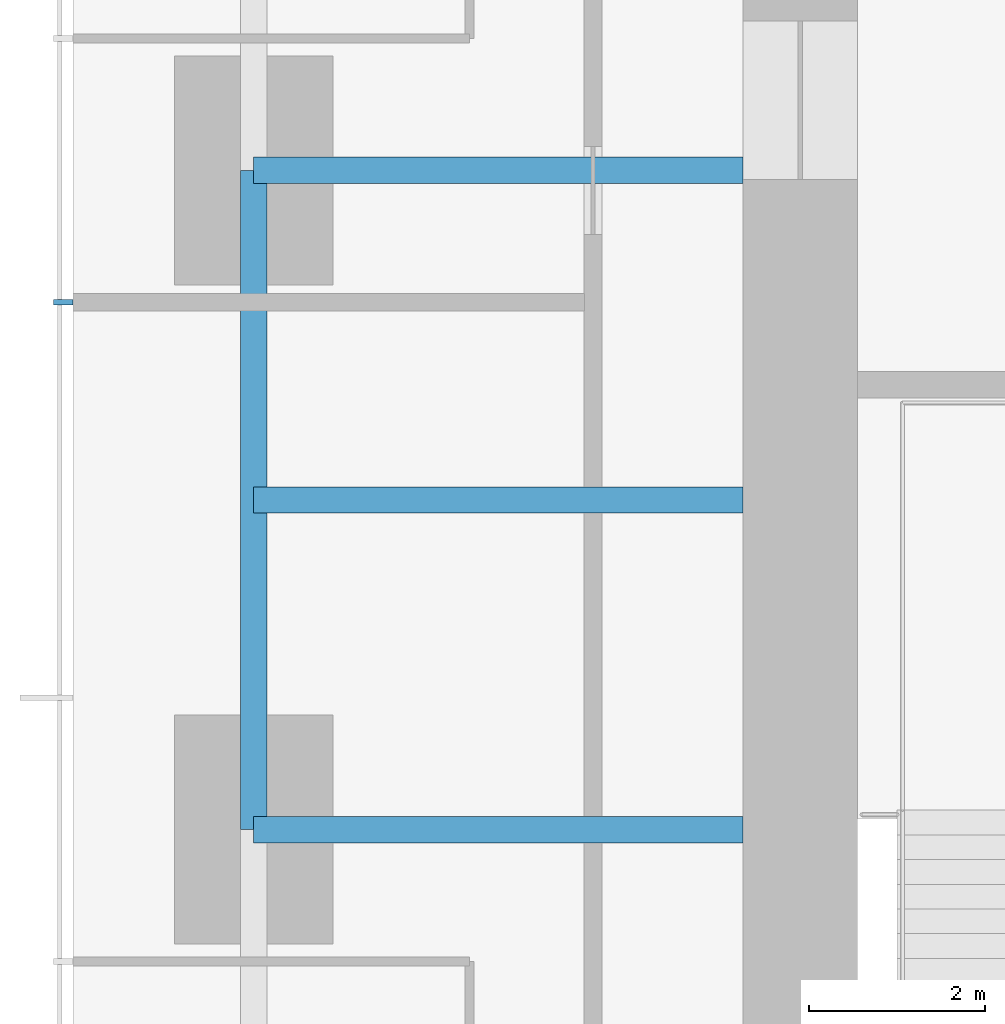
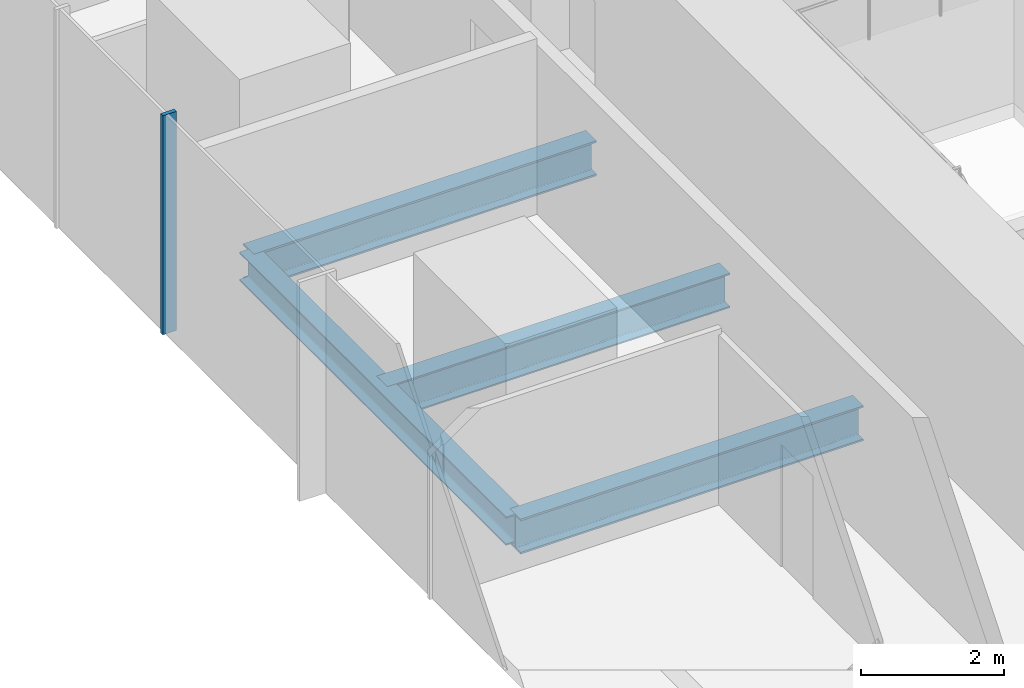
# One storey, part 3 of 12: 4 beams, 1 member, 1 element without a shape of its own.
"""IFC4 building model written with IfcOpenShell, lengths in metres."""

from ifc_helpers import new_model, si_unit, direction, frame, origin, origin_2d, place, context, subcontext, project, spatial, rectangle, i_section, extrude, material, material_profile, profile_set, type_object, element, aggregate, save


model = new_model("IFC4")

# Units and contexts
model_context = context("Model", 3, precision=1e-05, world=origin(), true_north=direction((0.0, 1.0)))
body_context = subcontext(model_context, "Body", "Model", "MODEL_VIEW")
ifc_project = project(units=[si_unit("LENGTHUNIT", "METRE"), si_unit("AREAUNIT", "SQUARE_METRE"), si_unit("VOLUMEUNIT", "CUBIC_METRE"), si_unit("PLANEANGLEUNIT", "RADIAN"), si_unit("MASSUNIT", "GRAM", prefix="KILO")], contexts=[model_context])

# Site, building, storey
site_placement = place(None, origin())
site = spatial("IfcSite", under=ifc_project, at=site_placement, CompositionType="ELEMENT")
building_placement = place(site_placement, origin())
building = spatial("IfcBuilding", under=site, at=building_placement, Name="Khuree Lantern Residences", CompositionType="ELEMENT")
storey_placement = place(building_placement, frame((0.0, 0.0, 289.5)))
storey = spatial("IfcBuildingStorey", under=building, at=storey_placement, Name="L72", CompositionType="ELEMENT", Elevation=289.5)

# Beams
ifc_material_1 = material(Name="Steel S355", Category="steel")
ifc_material_profile_1 = material_profile(ifc_material_1, i_section(OverallWidth=0.300048828125, OverallDepth=0.590087890625, WebThickness=0.012939453125, FlangeThickness=0.02490234375, FilletRadius=0.027099609375, at=origin_2d()), Name="HE 600 A")
ifc_profile_set_1 = profile_set([ifc_material_profile_1], Name="Steel S355")
beam_type_1 = type_object("IfcBeamType", Name="B-41A SECONDARY BEAM HE 600 A", PredefinedType="BEAM", material=ifc_profile_set_1)
beam_1_placement = place(storey_placement, frame((-21.699951171875, 3.739990234375, -0.544921875), z_axis=(1.0, 0.0, 0.0), x_axis=(0.0, 1.0, 0.0)))
element("IfcBeam", 1, at=beam_1_placement, inside=storey, type_object=beam_type_1, Name="Secondary beam W4", PredefinedType="BEAM", context=body_context, shape_type="SweptSolid", body=[
    extrude(i_section(OverallWidth=0.300048828125, OverallDepth=0.590087890625, WebThickness=0.012939453125, FlangeThickness=0.02490234375, FilletRadius=0.027099609375, at=origin_2d()), origin(), (0.0, 0.0, 1.0), 5.550048828125),
])
ifc_material_profile_2 = material_profile(ifc_material_1, i_section(OverallWidth=0.300048828125, OverallDepth=0.489990234375, WebThickness=0.011962890625, FlangeThickness=0.02294921875, FilletRadius=0.027099609375, at=origin_2d()), Name="HE 500 A")
ifc_profile_set_2 = profile_set([ifc_material_profile_2], Name="Steel S355")
beam_type_2 = type_object("IfcBeamType", Name="E-41 SPANDREL BEAM HE 500 A", PredefinedType="SPANDREL", material=ifc_profile_set_2)
beam_2_placement = place(storey_placement, frame((-21.699951171875, 0.0, -0.4951171875), z_axis=(0.0, 1.0, 0.0), x_axis=(-1.0, 0.0, 0.0)))
element("IfcBeam", 2, at=beam_2_placement, inside=storey, type_object=beam_type_2, Name="Spandrel beam W4", PredefinedType="SPANDREL", context=body_context, shape_type="SweptSolid", body=[
    extrude(i_section(OverallWidth=0.300048828125, OverallDepth=0.489990234375, WebThickness=0.011962890625, FlangeThickness=0.02294921875, FilletRadius=0.027099609375, at=origin_2d()), origin(), (0.0, 0.0, 1.0), 7.47998046875),
])
ifc_material_profile_3 = material_profile(ifc_material_1, i_section(OverallWidth=0.300048828125, OverallDepth=0.60009765625, WebThickness=0.015380859375, FlangeThickness=0.030029296875, FilletRadius=0.027099609375, at=origin_2d()), Name="HE 600 B")
ifc_profile_set_3 = profile_set([ifc_material_profile_3], Name="Steel S355")
beam_type_3 = type_object("IfcBeamType", Name="G-41 GIRDER HE 600 B", PredefinedType="BEAM", material=ifc_profile_set_3)
for number, where, z_axis, x_axis, name in (
    (3, (-21.699951171875, 0.0, -0.550048828125), (1.0, 0.0, 0.0), (0.0, 1.0, 0.0), "Girder W3"),
    (4, (-21.699951171875, 7.47998046875, -0.550048828125), (1.0, 0.0, 0.0), (0.0, 1.0, 0.0), "Girder W4"),
):
    element("IfcBeam", number, at=place(storey_placement, frame(where, z_axis=z_axis, x_axis=x_axis)), inside=storey, type_object=beam_type_3, Name=name, PredefinedType="BEAM", context=body_context, shape_type="SweptSolid", body=[
        extrude(i_section(OverallWidth=0.300048828125, OverallDepth=0.60009765625, WebThickness=0.015380859375, FlangeThickness=0.030029296875, FilletRadius=0.027099609375, at=origin_2d()), origin(), (0.0, 0.0, 1.0), 5.550048828125),
    ])

# Curtain wall, member
ifc_material_2 = material(Name="Bronze anodised aluminium", Category="aluminium")
curtain_wall_type = type_object("IfcCurtainWallType", Name="CW-T1 TOWER FACE CURTAIN WALL", PredefinedType="USERDEFINED", material=ifc_material_2)
curtain_wall_placement = place(storey_placement, origin())
curtain_wall = element("IfcCurtainWall", 5, at=curtain_wall_placement, inside=storey, type_object=curtain_wall_type, Name="L72 WEST FACE CURTAIN WALL", ObjectType="Stick-built curtain wall", PredefinedType="USERDEFINED")
ifc_material_profile_4 = material_profile(ifc_material_2, rectangle(XDim=0.06494140625, YDim=0.219970703125, at=origin_2d()), Name="M1 65X220")
ifc_profile_set_4 = profile_set([ifc_material_profile_4], Name="Bronze anodised aluminium")
member_type = type_object("IfcMemberType", Name="M1 BRONZE MULLION TOWER 65X220", PredefinedType="MULLION", material=ifc_profile_set_4)
member_placement = place(storey_placement, frame((-23.860107421875, 5.98388671875, 0.0), z_axis=(0.0, 0.0, 1.0), x_axis=(0.0, -1.0, 0.0)))
member = element("IfcMember", 6, at=member_placement, type_object=member_type, Name="L72 WEST FACE MULLION 36", PredefinedType="MULLION", context=body_context, shape_type="SweptSolid", body=[
    extrude(rectangle(XDim=0.06494140625, YDim=0.219970703125, at=origin_2d()), origin(), (0.0, 0.0, 1.0), 3.75),
])
aggregate(curtain_wall, [member])

save(model, "model.ifc")
